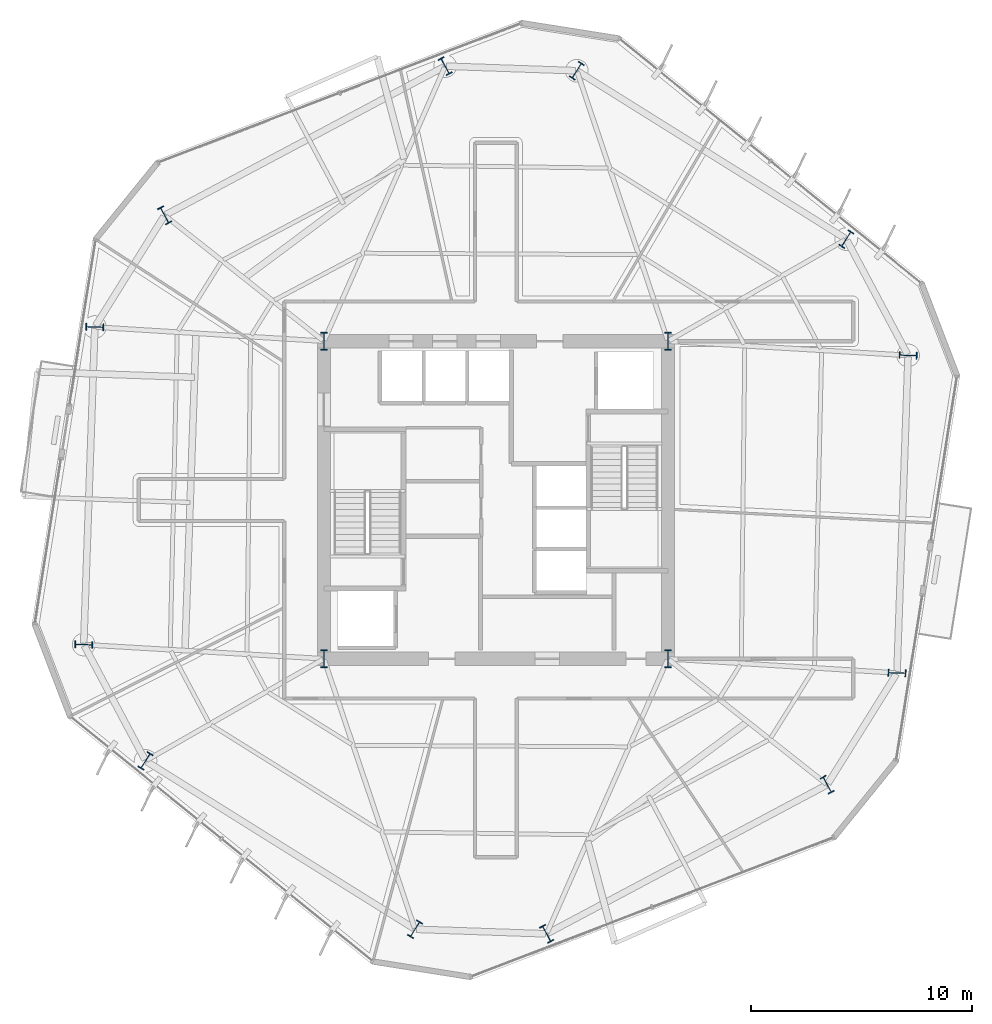
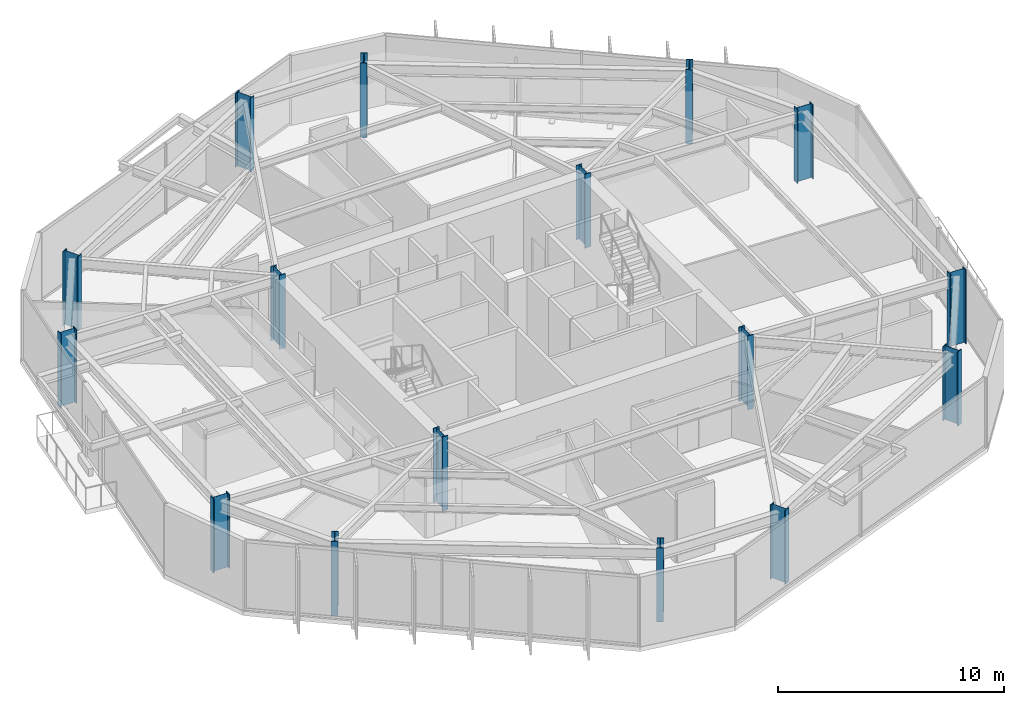
# One storey, part 1 of 11: 16 columns.
"""IFC4 building model written with IfcOpenShell, lengths in metres."""

from ifc_helpers import new_model, si_unit, direction, frame, origin, origin_2d, place, context, subcontext, project, spatial, i_section, extrude, material, material_profile, profile_set, type_object, element, save


model = new_model("IFC4")

# Units and contexts
model_context = context("Model", 3, precision=1e-05, world=origin(), true_north=direction((0.0, 1.0)))
body_context = subcontext(model_context, "Body", "Model", "MODEL_VIEW")
ifc_project = project(units=[si_unit("LENGTHUNIT", "METRE"), si_unit("AREAUNIT", "SQUARE_METRE"), si_unit("VOLUMEUNIT", "CUBIC_METRE"), si_unit("PLANEANGLEUNIT", "RADIAN"), si_unit("MASSUNIT", "GRAM", prefix="KILO")], contexts=[model_context])

# Site, building, storey
site_placement = place(None, origin())
site = spatial("IfcSite", under=ifc_project, at=site_placement, CompositionType="ELEMENT")
building_placement = place(site_placement, origin())
building = spatial("IfcBuilding", under=site, at=building_placement, Name="Kranzbogen Civic Tower", CompositionType="ELEMENT")
storey_placement = place(building_placement, frame((0.0, 0.0, 106.39990234375)))
storey = spatial("IfcBuildingStorey", under=building, at=storey_placement, Name="L25", CompositionType="ELEMENT", Elevation=106.39990234375)

# Columns
ifc_material = material(Name="Steel S460", Category="steel")
ifc_material_profile = material_profile(ifc_material, i_section(OverallWidth=0.302978515625, OverallDepth=0.81396484375, WebThickness=0.02099609375, FlangeThickness=0.0400390625, at=origin_2d()), Name="HEM 800")
ifc_profile_set = profile_set([ifc_material_profile], Name="Steel S460")
column_type = type_object("IfcColumnType", Name="Structural Column HEM 800", PredefinedType="COLUMN", material=ifc_profile_set)
for number, where, z_axis, x_axis, name in (
    (1, (17.199951171875, 17.800048828125, 0.0), (0.0, 0.0, 1.0), (1.0, 0.0, 0.0), "L25 composite core corner column 1"),
    (2, (32.800048828125, 17.800048828125, 0.0), (0.0, 0.0, 1.0), (1.0, 0.0, 0.0), "L25 composite core corner column 2"),
    (3, (32.800048828125, 32.199951171875, 0.0), (0.0, 0.0, 1.0), (1.0, 0.0, 0.0), "L25 composite core corner column 3"),
    (4, (17.199951171875, 32.199951171875, 0.0), (0.0, 0.0, 1.0), (1.0, 0.0, 0.0), "L25 composite core corner column 4"),
    (5, (40.885986328125, 36.8291015625, 0.0), (0.0, 0.0, 1.0), (-0.848048096156, 0.529919264233, 0.0), "L25 tower perimeter tube column 01"),
    (6, (28.66796875, 44.464111328125, 0.0), (0.0, 0.0, 1.0), (-0.848048096156, 0.529919264233, 0.0), "L25 tower perimeter tube column 02"),
    (7, (22.698974609375, 44.672119140625, 0.0), (0.0, 0.0, 1.0), (0.882947592859, 0.469471562786, 0.0), "L25 tower perimeter tube column 03"),
    (8, (9.97705078125, 37.907958984375, 0.0), (0.0, 0.0, 1.0), (0.882947592859, 0.469471562786, 0.0), "L25 tower perimeter tube column 04"),
    (9, (6.81298828125, 32.843994140625, 0.0), (0.0, 0.0, 1.0), (0.034899496703, 0.999390827019, 0.0), "L25 tower perimeter tube column 05"),
    (10, (6.31005859375, 18.444091796875, 0.0), (0.0, 0.0, 1.0), (0.034899496703, 0.999390827019, 0.0), "L25 tower perimeter tube column 06"),
    (11, (9.114013671875, 13.1708984375, 0.0), (0.0, 0.0, 1.0), (-0.848048096156, 0.529919264233, 0.0), "L25 tower perimeter tube column 07"),
    (12, (21.33203125, 5.535888671875, 0.0), (0.0, 0.0, 1.0), (-0.848048096156, 0.529919264233, 0.0), "L25 tower perimeter tube column 08"),
    (13, (27.301025390625, 5.327880859375, 0.0), (0.0, 0.0, 1.0), (0.882947592859, 0.469471562786, 0.0), "L25 tower perimeter tube column 09"),
    (14, (40.02294921875, 12.092041015625, 0.0), (0.0, 0.0, 1.0), (0.882947592859, 0.469471562786, 0.0), "L25 tower perimeter tube column 10"),
    (15, (43.18701171875, 17.156005859375, 0.0), (0.0, 0.0, 1.0), (0.034899496703, 0.999390827019, 0.0), "L25 tower perimeter tube column 11"),
    (16, (43.68994140625, 31.555908203125, 0.0), (0.0, 0.0, 1.0), (0.034899496703, 0.999390827019, 0.0), "L25 tower perimeter tube column 12"),
):
    element("IfcColumn", number, at=place(storey_placement, frame(where, z_axis=z_axis, x_axis=x_axis)), inside=storey, type_object=column_type, Name=name, PredefinedType="COLUMN", context=body_context, shape_type="SweptSolid", body=[
        extrude(i_section(OverallWidth=0.302978515625, OverallDepth=0.81396484375, WebThickness=0.02099609375, FlangeThickness=0.0400390625, at=origin_2d()), origin(), (0.0, 0.0, 1.0), 4.0),
    ])

save(model, "model.ifc")
